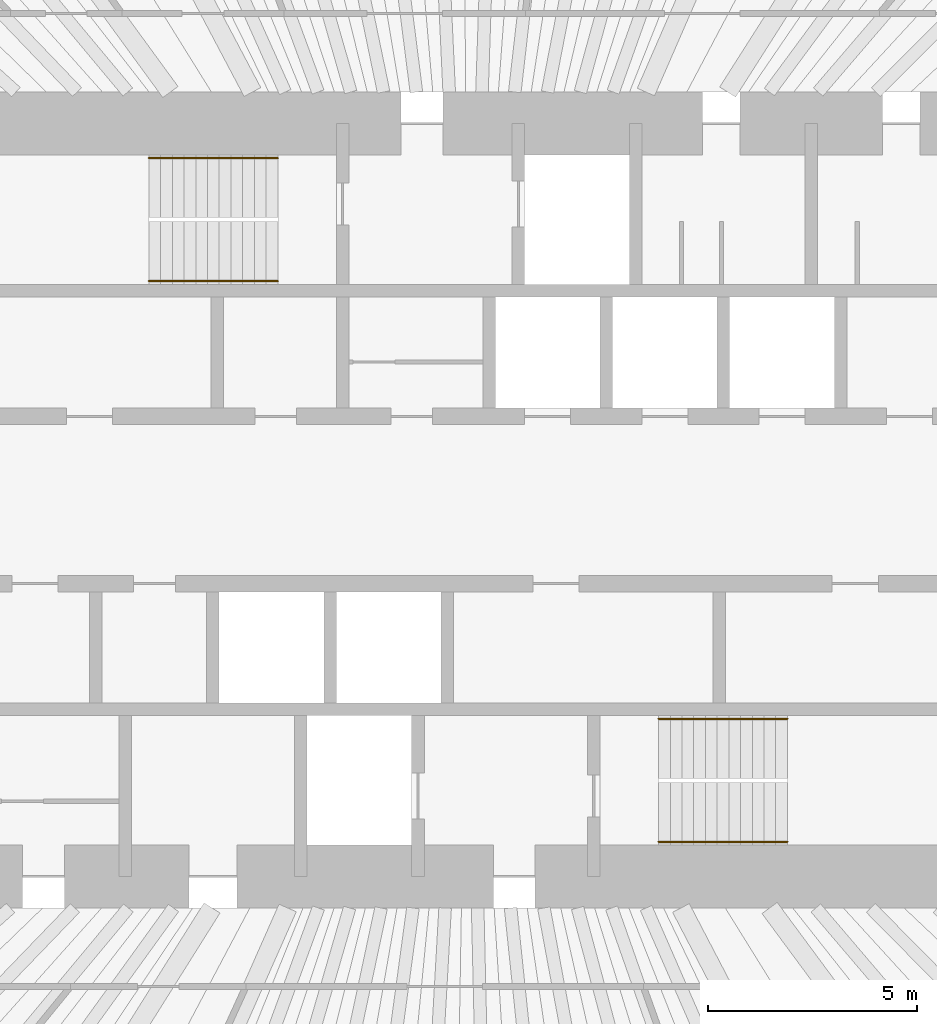
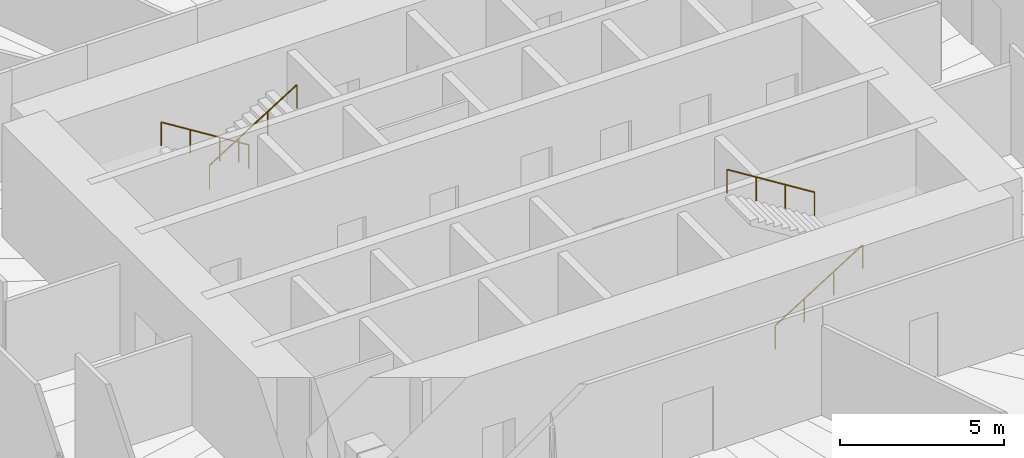
# One storey, part 13 of 13: 4 railings.
"""IFC4 building model written with IfcOpenShell, lengths in metres."""

from ifc_helpers import new_model, si_unit, direction, frame, origin, origin_2d, place, context, subcontext, project, spatial, circle, extrude, material, type_object, element, save


model = new_model("IFC4")

# Units and contexts
model_context = context("Model", 3, precision=1e-05, world=origin(), true_north=direction((0.0, 1.0)))
body_context = subcontext(model_context, "Body", "Model", "MODEL_VIEW")
ifc_project = project(units=[si_unit("LENGTHUNIT", "METRE"), si_unit("AREAUNIT", "SQUARE_METRE"), si_unit("VOLUMEUNIT", "CUBIC_METRE"), si_unit("PLANEANGLEUNIT", "RADIAN"), si_unit("MASSUNIT", "GRAM", prefix="KILO")], contexts=[model_context])

# Site, building, storey
site_placement = place(None, origin())
site = spatial("IfcSite", under=ifc_project, at=site_placement, CompositionType="ELEMENT")
building_placement = place(site_placement, origin())
building = spatial("IfcBuilding", under=site, at=building_placement, Name="Qingtian Harvest Tower", CompositionType="ELEMENT")
storey_placement = place(building_placement, frame((0.0, 0.0, 149.199951171875)))
storey = spatial("IfcBuildingStorey", under=building, at=storey_placement, Name="L31", CompositionType="ELEMENT", Elevation=149.199951171875)

# Railings
ifc_material = material(Name="Stainless steel handrail", Category="steel")
railing_type = type_object("IfcRailingType", Name="Handrail HR1", PredefinedType="HANDRAIL", material=ifc_material)
railing_1_placement = place(storey_placement, frame((-4.550048828125, 8.169921875, 0.175048828125)))
element("IfcRailing", 1, at=railing_1_placement, inside=storey, type_object=railing_type, Name="Handrail HR1 S1 flight 1", PredefinedType="HANDRAIL", context=body_context, shape_type="SweptSolid", body=[
    extrude(circle(Radius=0.02392578125, at=origin_2d()), frame((0.0, 0.0, 0.8759765625), z_axis=(-0.847979421464, 0.0, 0.530029150871), x_axis=(0.0, -1.0, 0.0)), (0.0, 0.0, 1.0), 3.632080078125),
    extrude(circle(Radius=0.02099609375, at=origin_2d()), origin(), (0.0, 0.0, 1.0), 0.851806640625),
    extrude(circle(Radius=0.02099609375, at=origin_2d()), frame((-1.026611328125, 0.0, 0.6416015625)), (0.0, 0.0, 1.0), 0.851806640625),
    extrude(circle(Radius=0.02099609375, at=origin_2d()), frame((-2.05322265625, 0.0, 1.283447265625)), (0.0, 0.0, 1.0), 0.851806640625),
    extrude(circle(Radius=0.02099609375, at=origin_2d()), frame((-3.079833984375, 0.0, 1.925048828125)), (0.0, 0.0, 1.0), 0.851806640625),
])
railing_2_placement = place(storey_placement, frame((-7.6298828125, 5.22998046875, 2.275146484375)))
element("IfcRailing", 2, at=railing_2_placement, inside=storey, type_object=railing_type, Name="Handrail HR1 S1 flight 2", PredefinedType="HANDRAIL", context=body_context, shape_type="SweptSolid", body=[
    extrude(circle(Radius=0.02392578125, at=origin_2d()), frame((0.0, 0.0, 0.8759765625), z_axis=(0.848009633417, 0.0, 0.529980812513), x_axis=(0.0, 1.0, 0.0)), (0.0, 0.0, 1.0), 3.6318359375),
    extrude(circle(Radius=0.02099609375, at=origin_2d()), origin(), (0.0, 0.0, 1.0), 0.851806640625),
    extrude(circle(Radius=0.02099609375, at=origin_2d()), frame((1.026611328125, 0.0, 0.6416015625)), (0.0, 0.0, 1.0), 0.851806640625),
    extrude(circle(Radius=0.02099609375, at=origin_2d()), frame((2.05322265625, 0.0, 1.283203125)), (0.0, 0.0, 1.0), 0.851806640625),
    extrude(circle(Radius=0.02099609375, at=origin_2d()), frame((3.079833984375, 0.0, 1.9248046875)), (0.0, 0.0, 1.0), 0.851806640625),
])
railing_3_placement = place(storey_placement, frame((4.550048828125, -8.169921875, 0.175048828125)))
element("IfcRailing", 3, at=railing_3_placement, inside=storey, type_object=railing_type, Name="Handrail HR1 S2 flight 1", PredefinedType="HANDRAIL", context=body_context, shape_type="SweptSolid", body=[
    extrude(circle(Radius=0.02392578125, at=origin_2d()), frame((0.0, 0.0, 0.8759765625), z_axis=(0.847979421464, 0.0, 0.530029150871), x_axis=(0.0, 1.0, 0.0)), (0.0, 0.0, 1.0), 3.632080078125),
    extrude(circle(Radius=0.02099609375, at=origin_2d()), origin(), (0.0, 0.0, 1.0), 0.851806640625),
    extrude(circle(Radius=0.02099609375, at=origin_2d()), frame((1.026611328125, 0.0, 0.6416015625)), (0.0, 0.0, 1.0), 0.851806640625),
    extrude(circle(Radius=0.02099609375, at=origin_2d()), frame((2.05322265625, 0.0, 1.283447265625)), (0.0, 0.0, 1.0), 0.851806640625),
    extrude(circle(Radius=0.02099609375, at=origin_2d()), frame((3.079833984375, 0.0, 1.925048828125)), (0.0, 0.0, 1.0), 0.851806640625),
])
railing_4_placement = place(storey_placement, frame((7.6298828125, -5.22998046875, 2.275146484375)))
element("IfcRailing", 4, at=railing_4_placement, inside=storey, type_object=railing_type, Name="Handrail HR1 S2 flight 2", PredefinedType="HANDRAIL", context=body_context, shape_type="SweptSolid", body=[
    extrude(circle(Radius=0.02392578125, at=origin_2d()), frame((0.0, 0.0, 0.8759765625), z_axis=(-0.848009633417, 0.0, 0.529980812513), x_axis=(0.0, -1.0, 0.0)), (0.0, 0.0, 1.0), 3.6318359375),
    extrude(circle(Radius=0.02099609375, at=origin_2d()), origin(), (0.0, 0.0, 1.0), 0.851806640625),
    extrude(circle(Radius=0.02099609375, at=origin_2d()), frame((-1.026611328125, 0.0, 0.6416015625)), (0.0, 0.0, 1.0), 0.851806640625),
    extrude(circle(Radius=0.02099609375, at=origin_2d()), frame((-2.05322265625, 0.0, 1.283203125)), (0.0, 0.0, 1.0), 0.851806640625),
    extrude(circle(Radius=0.02099609375, at=origin_2d()), frame((-3.079833984375, 0.0, 1.9248046875)), (0.0, 0.0, 1.0), 0.851806640625),
])

save(model, "model.ifc")
